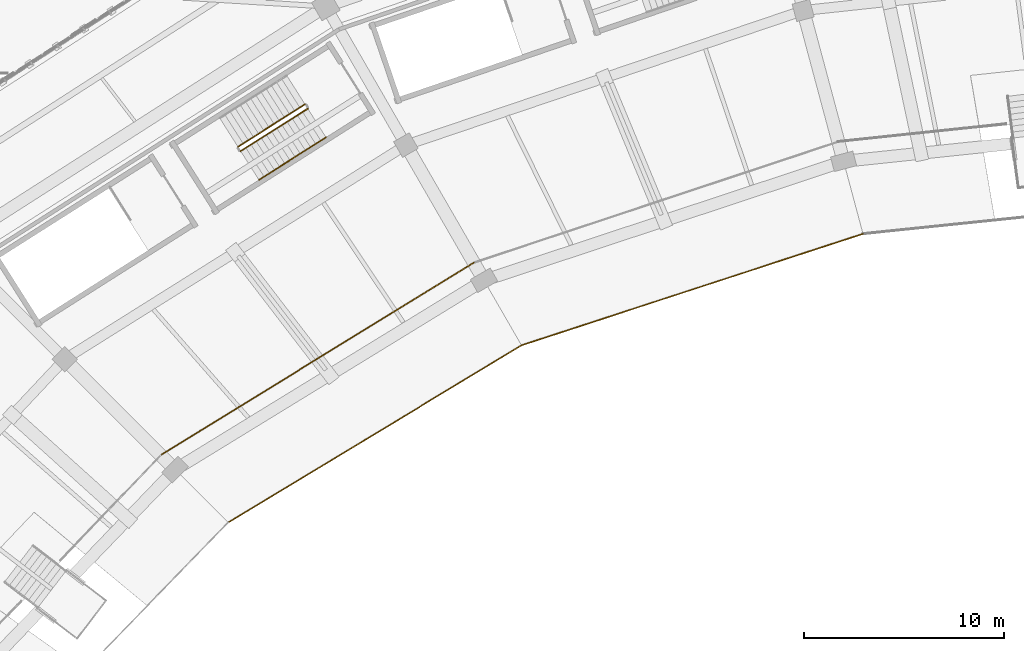
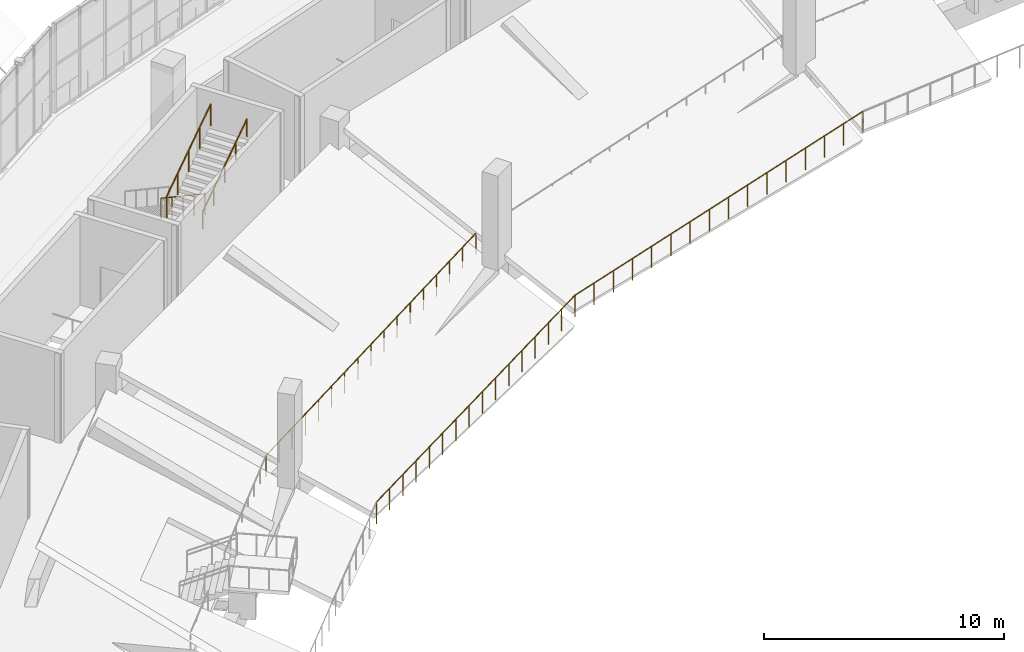
# One storey, part 142 of 152: 6 railings.
"""IFC4 building model written with IfcOpenShell, lengths in metres."""

from ifc_helpers import new_model, si_unit, direction, frame, origin, origin_2d, place, context, subcontext, project, spatial, circle, extrude, material, type_object, element, save


model = new_model("IFC4")

# Units and contexts
model_context = context("Model", 3, precision=1e-05, world=origin(), true_north=direction((0.0, 1.0)))
body_context = subcontext(model_context, "Body", "Model", "MODEL_VIEW")
ifc_project = project(units=[si_unit("LENGTHUNIT", "METRE"), si_unit("AREAUNIT", "SQUARE_METRE"), si_unit("VOLUMEUNIT", "CUBIC_METRE"), si_unit("PLANEANGLEUNIT", "RADIAN"), si_unit("MASSUNIT", "GRAM", prefix="KILO")], contexts=[model_context])

# Site, building, storey
site_placement = place(None, origin())
site = spatial("IfcSite", under=ifc_project, at=site_placement, CompositionType="ELEMENT")
building_placement = place(site_placement, origin())
building = spatial("IfcBuilding", under=site, at=building_placement, Name="Zevraka Park Crest Stadium", CompositionType="ELEMENT")
storey_placement = place(building_placement, frame((0.0, 0.0, 15.0)))
storey = spatial("IfcBuildingStorey", under=building, at=storey_placement, Name="L03", CompositionType="ELEMENT", Elevation=15.0)

# Railings
ifc_material_1 = material(Name="Galvanised and bronze-finished steel balustrade", Category="steel")
railing_type_1 = type_object("IfcRailingType", Name="GR01", PredefinedType="GUARDRAIL", material=ifc_material_1)
railing_1_placement = place(storey_placement, frame((74.2490234375, 144.416015625, 0.0)))
element("IfcRailing", 1, at=railing_1_placement, inside=storey, type_object=railing_type_1, Name="Deck Edge Protection Guardrail GR01 L03-74", PredefinedType="GUARDRAIL", context=body_context, shape_type="SweptSolid", body=[
    extrude(circle(Radius=0.02392578125, at=origin_2d()), frame((0.0, 0.0, 1.076171875), z_axis=(-0.851918067459, -0.523675096159, 0.0), x_axis=(0.523675096159, -0.851918067459, 0.0)), (0.0, 0.0, 1.0), 18.35498046875),
    extrude(circle(Radius=0.02099609375, at=origin_2d()), origin(), (0.0, 0.0, 1.0), 1.052001953125),
    extrude(circle(Radius=0.02099609375, at=origin_2d()), frame((-0.977294921875, -0.600830078125, 0.0)), (0.0, 0.0, 1.0), 1.052001953125),
    extrude(circle(Radius=0.02099609375, at=origin_2d()), frame((-1.95458984375, -1.201416015625, 0.0)), (0.0, 0.0, 1.0), 1.052001953125),
    extrude(circle(Radius=0.02099609375, at=origin_2d()), frame((-2.931884765625, -1.80224609375, 0.0)), (0.0, 0.0, 1.0), 1.052001953125),
    extrude(circle(Radius=0.02099609375, at=origin_2d()), frame((-3.9091796875, -2.403076171875, 0.0)), (0.0, 0.0, 1.0), 1.052001953125),
    extrude(circle(Radius=0.02099609375, at=origin_2d()), frame((-4.886474609375, -3.003662109375, 0.0)), (0.0, 0.0, 1.0), 1.052001953125),
    extrude(circle(Radius=0.02099609375, at=origin_2d()), frame((-5.86376953125, -3.6044921875, 0.0)), (0.0, 0.0, 1.0), 1.052001953125),
    extrude(circle(Radius=0.02099609375, at=origin_2d()), frame((-6.841064453125, -4.205322265625, 0.0)), (0.0, 0.0, 1.0), 1.052001953125),
    extrude(circle(Radius=0.02099609375, at=origin_2d()), frame((-7.818359375, -4.80615234375, 0.0)), (0.0, 0.0, 1.0), 1.052001953125),
    extrude(circle(Radius=0.02099609375, at=origin_2d()), frame((-8.7958984375, -5.40673828125, 0.0)), (0.0, 0.0, 1.0), 1.052001953125),
    extrude(circle(Radius=0.02099609375, at=origin_2d()), frame((-9.773193359375, -6.007568359375, 0.0)), (0.0, 0.0, 1.0), 1.052001953125),
    extrude(circle(Radius=0.02099609375, at=origin_2d()), frame((-10.75048828125, -6.6083984375, 0.0)), (0.0, 0.0, 1.0), 1.052001953125),
    extrude(circle(Radius=0.02099609375, at=origin_2d()), frame((-11.727783203125, -7.208984375, 0.0)), (0.0, 0.0, 1.0), 1.052001953125),
    extrude(circle(Radius=0.02099609375, at=origin_2d()), frame((-12.705078125, -7.809814453125, 0.0)), (0.0, 0.0, 1.0), 1.052001953125),
    extrude(circle(Radius=0.02099609375, at=origin_2d()), frame((-13.682373046875, -8.41064453125, 0.0)), (0.0, 0.0, 1.0), 1.052001953125),
    extrude(circle(Radius=0.02099609375, at=origin_2d()), frame((-14.65966796875, -9.01123046875, 0.0)), (0.0, 0.0, 1.0), 1.052001953125),
    extrude(circle(Radius=0.02099609375, at=origin_2d()), frame((-15.636962890625, -9.612060546875, 0.0)), (0.0, 0.0, 1.0), 1.052001953125),
])
ifc_material_2 = material(Name="Laminated glass and stainless steel sightline bowl guard", Category="steel")
railing_type_2 = type_object("IfcRailingType", Name="GR02", PredefinedType="GUARDRAIL", material=ifc_material_2)
railing_2_placement = place(storey_placement, frame((93.68896484375, 145.85009765625, -1.5)))
element("IfcRailing", 2, at=railing_2_placement, inside=storey, type_object=railing_type_2, Name="Upper Tier Cantilever Sightline Guard GR02 07", PredefinedType="GUARDRAIL", context=body_context, shape_type="SweptSolid", body=[
    extrude(circle(Radius=0.02392578125, at=origin_2d()), frame((0.0, 0.0, 1.09619140625), z_axis=(-0.950651722205, -0.310260057161, 0.0), x_axis=(0.310260057161, -0.950651722205, 0.0)), (0.0, 0.0, 1.0), 17.94970703125),
    extrude(circle(Radius=0.02099609375, at=origin_2d()), origin(), (0.0, 0.0, 1.0), 1.072021484375),
    extrude(circle(Radius=0.02099609375, at=origin_2d()), frame((-1.1376953125, -0.371337890625, 0.0)), (0.0, 0.0, 1.0), 1.072021484375),
    extrude(circle(Radius=0.02099609375, at=origin_2d()), frame((-2.275146484375, -0.742431640625, 0.0)), (0.0, 0.0, 1.0), 1.072021484375),
    extrude(circle(Radius=0.02099609375, at=origin_2d()), frame((-3.412841796875, -1.11376953125, 0.0)), (0.0, 0.0, 1.0), 1.072021484375),
    extrude(circle(Radius=0.02099609375, at=origin_2d()), frame((-4.55029296875, -1.485107421875, 0.0)), (0.0, 0.0, 1.0), 1.072021484375),
    extrude(circle(Radius=0.02099609375, at=origin_2d()), frame((-5.68798828125, -1.8564453125, 0.0)), (0.0, 0.0, 1.0), 1.072021484375),
    extrude(circle(Radius=0.02099609375, at=origin_2d()), frame((-6.82568359375, -2.2275390625, 0.0)), (0.0, 0.0, 1.0), 1.072021484375),
    extrude(circle(Radius=0.02099609375, at=origin_2d()), frame((-7.963134765625, -2.598876953125, 0.0)), (0.0, 0.0, 1.0), 1.072021484375),
    extrude(circle(Radius=0.02099609375, at=origin_2d()), frame((-9.100830078125, -2.97021484375, 0.0)), (0.0, 0.0, 1.0), 1.072021484375),
    extrude(circle(Radius=0.02099609375, at=origin_2d()), frame((-10.23828125, -3.341552734375, 0.0)), (0.0, 0.0, 1.0), 1.072021484375),
    extrude(circle(Radius=0.02099609375, at=origin_2d()), frame((-11.3759765625, -3.712646484375, 0.0)), (0.0, 0.0, 1.0), 1.072021484375),
    extrude(circle(Radius=0.02099609375, at=origin_2d()), frame((-12.513671875, -4.083984375, 0.0)), (0.0, 0.0, 1.0), 1.072021484375),
    extrude(circle(Radius=0.02099609375, at=origin_2d()), frame((-13.651123046875, -4.455322265625, 0.0)), (0.0, 0.0, 1.0), 1.072021484375),
    extrude(circle(Radius=0.02099609375, at=origin_2d()), frame((-14.788818359375, -4.82666015625, 0.0)), (0.0, 0.0, 1.0), 1.072021484375),
    extrude(circle(Radius=0.02099609375, at=origin_2d()), frame((-15.92626953125, -5.19775390625, 0.0)), (0.0, 0.0, 1.0), 1.072021484375),
    extrude(circle(Radius=0.02099609375, at=origin_2d()), frame((-17.06396484375, -5.569091796875, 0.0)), (0.0, 0.0, 1.0), 1.072021484375),
])
railing_3_placement = place(storey_placement, frame((76.625, 140.281005859375, -1.5)))
element("IfcRailing", 3, at=railing_3_placement, inside=storey, type_object=railing_type_2, Name="Upper Tier Cantilever Sightline Guard GR02 08", PredefinedType="GUARDRAIL", context=body_context, shape_type="SweptSolid", body=[
    extrude(circle(Radius=0.02392578125, at=origin_2d()), frame((0.0, 0.0, 1.09619140625), z_axis=(-0.855729194153, -0.517423952165, 0.0), x_axis=(0.517423952165, -0.855729194153, 0.0)), (0.0, 0.0, 1.0), 17.12353515625),
    extrude(circle(Radius=0.02099609375, at=origin_2d()), origin(), (0.0, 0.0, 1.0), 1.072021484375),
    extrude(circle(Radius=0.02099609375, at=origin_2d()), frame((-0.976806640625, -0.590576171875, 0.0)), (0.0, 0.0, 1.0), 1.072021484375),
    extrude(circle(Radius=0.02099609375, at=origin_2d()), frame((-1.953857421875, -1.181396484375, 0.0)), (0.0, 0.0, 1.0), 1.072021484375),
    extrude(circle(Radius=0.02099609375, at=origin_2d()), frame((-2.9306640625, -1.77197265625, 0.0)), (0.0, 0.0, 1.0), 1.072021484375),
    extrude(circle(Radius=0.02099609375, at=origin_2d()), frame((-3.907470703125, -2.36279296875, 0.0)), (0.0, 0.0, 1.0), 1.072021484375),
    extrude(circle(Radius=0.02099609375, at=origin_2d()), frame((-4.88427734375, -2.953369140625, 0.0)), (0.0, 0.0, 1.0), 1.072021484375),
    extrude(circle(Radius=0.02099609375, at=origin_2d()), frame((-5.861328125, -3.5439453125, 0.0)), (0.0, 0.0, 1.0), 1.072021484375),
    extrude(circle(Radius=0.02099609375, at=origin_2d()), frame((-6.838134765625, -4.134765625, 0.0)), (0.0, 0.0, 1.0), 1.072021484375),
    extrude(circle(Radius=0.02099609375, at=origin_2d()), frame((-7.81494140625, -4.725341796875, 0.0)), (0.0, 0.0, 1.0), 1.072021484375),
    extrude(circle(Radius=0.02099609375, at=origin_2d()), frame((-8.791748046875, -5.316162109375, 0.0)), (0.0, 0.0, 1.0), 1.072021484375),
    extrude(circle(Radius=0.02099609375, at=origin_2d()), frame((-9.768798828125, -5.90673828125, 0.0)), (0.0, 0.0, 1.0), 1.072021484375),
    extrude(circle(Radius=0.02099609375, at=origin_2d()), frame((-10.74560546875, -6.497314453125, 0.0)), (0.0, 0.0, 1.0), 1.072021484375),
    extrude(circle(Radius=0.02099609375, at=origin_2d()), frame((-11.722412109375, -7.088134765625, 0.0)), (0.0, 0.0, 1.0), 1.072021484375),
    extrude(circle(Radius=0.02099609375, at=origin_2d()), frame((-12.69921875, -7.6787109375, 0.0)), (0.0, 0.0, 1.0), 1.072021484375),
    extrude(circle(Radius=0.02099609375, at=origin_2d()), frame((-13.67626953125, -8.26953125, 0.0)), (0.0, 0.0, 1.0), 1.072021484375),
    extrude(circle(Radius=0.02099609375, at=origin_2d()), frame((-14.653076171875, -8.860107421875, 0.0)), (0.0, 0.0, 1.0), 1.072021484375),
])
ifc_material_3 = material(Name="Powder-coated tubular steel stairwell guard", Category="steel")
railing_type_3 = type_object("IfcRailingType", Name="GR03", PredefinedType="GUARDRAIL", material=ifc_material_3)
railing_4_placement = place(storey_placement, frame((65.805419921875, 152.324951171875, 0.17138671875)))
element("IfcRailing", 4, at=railing_4_placement, inside=storey, type_object=railing_type_3, Name="L03 ST09 stair guard 1", PredefinedType="GUARDRAIL", context=body_context, shape_type="SweptSolid", body=[
    extrude(circle(Radius=0.02392578125, at=origin_2d()), frame((0.0, 0.0, 1.076171875), z_axis=(-0.736092217986, -0.467002282249, 0.489976647398), x_axis=(0.535715535947, -0.844398522349, 0.0)), (0.0, 0.0, 1.0), 4.548095703125),
    extrude(circle(Radius=0.02099609375, at=origin_2d()), origin(), (0.0, 0.0, 1.0), 1.052001953125),
    extrude(circle(Radius=0.02099609375, at=origin_2d()), frame((-0.8369140625, -0.531005859375, 0.55712890625)), (0.0, 0.0, 1.0), 1.052001953125),
    extrude(circle(Radius=0.02099609375, at=origin_2d()), frame((-1.673828125, -1.06201171875, 1.1142578125)), (0.0, 0.0, 1.0), 1.052001953125),
    extrude(circle(Radius=0.02099609375, at=origin_2d()), frame((-2.510986328125, -1.593017578125, 1.67138671875)), (0.0, 0.0, 1.0), 1.052001953125),
    extrude(circle(Radius=0.02099609375, at=origin_2d()), frame((-3.347900390625, -2.1240234375, 2.228515625)), (0.0, 0.0, 1.0), 1.052001953125),
])
railing_5_placement = place(storey_placement, frame((62.5966796875, 149.9814453125, 2.571533203125)))
element("IfcRailing", 5, at=railing_5_placement, inside=storey, type_object=railing_type_3, Name="L03 ST09 stair guard 3", PredefinedType="GUARDRAIL", context=body_context, shape_type="SweptSolid", body=[
    extrude(circle(Radius=0.02392578125, at=origin_2d()), frame((0.0, 0.0, 1.076171875), z_axis=(0.736116810277, 0.466983830349, 0.48995728775), x_axis=(-0.535687682518, 0.84441619288, 0.0)), (0.0, 0.0, 1.0), 4.54833984375),
    extrude(circle(Radius=0.02099609375, at=origin_2d()), origin(), (0.0, 0.0, 1.0), 1.052001953125),
    extrude(circle(Radius=0.02099609375, at=origin_2d()), frame((0.8369140625, 0.531005859375, 0.55712890625)), (0.0, 0.0, 1.0), 1.052001953125),
    extrude(circle(Radius=0.02099609375, at=origin_2d()), frame((1.674072265625, 1.06201171875, 1.1142578125)), (0.0, 0.0, 1.0), 1.052001953125),
    extrude(circle(Radius=0.02099609375, at=origin_2d()), frame((2.51123046875, 1.593017578125, 1.67138671875)), (0.0, 0.0, 1.0), 1.052001953125),
    extrude(circle(Radius=0.02099609375, at=origin_2d()), frame((3.34814453125, 2.1240234375, 2.228515625)), (0.0, 0.0, 1.0), 1.052001953125),
])
ifc_material_4 = material(Name="Brushed stainless steel continuous handrail", Category="steel")
railing_type_4 = type_object("IfcRailingType", Name="HR01", PredefinedType="HANDRAIL", material=ifc_material_4)
railing_6_placement = place(storey_placement, frame((63.507568359375, 148.5458984375, 2.571533203125)))
element("IfcRailing", 6, at=railing_6_placement, inside=storey, type_object=railing_type_4, Name="L03 ST09 stair handrail 2", PredefinedType="HANDRAIL", context=body_context, shape_type="SweptSolid", body=[
    extrude(circle(Radius=0.02392578125, at=origin_2d()), frame((0.0, 0.0, 0.8759765625), z_axis=(0.736092217986, 0.467002282249, 0.489976647398), x_axis=(-0.535715535947, 0.844398522349, 0.0)), (0.0, 0.0, 1.0), 4.548095703125),
    extrude(circle(Radius=0.02099609375, at=origin_2d()), origin(), (0.0, 0.0, 1.0), 0.851806640625),
    extrude(circle(Radius=0.02099609375, at=origin_2d()), frame((0.8369140625, 0.531005859375, 0.55712890625)), (0.0, 0.0, 1.0), 0.851806640625),
    extrude(circle(Radius=0.02099609375, at=origin_2d()), frame((1.673828125, 1.06201171875, 1.1142578125)), (0.0, 0.0, 1.0), 0.851806640625),
    extrude(circle(Radius=0.02099609375, at=origin_2d()), frame((2.510986328125, 1.593017578125, 1.67138671875)), (0.0, 0.0, 1.0), 0.851806640625),
    extrude(circle(Radius=0.02099609375, at=origin_2d()), frame((3.347900390625, 2.1240234375, 2.228515625)), (0.0, 0.0, 1.0), 0.851806640625),
])

save(model, "model.ifc")
